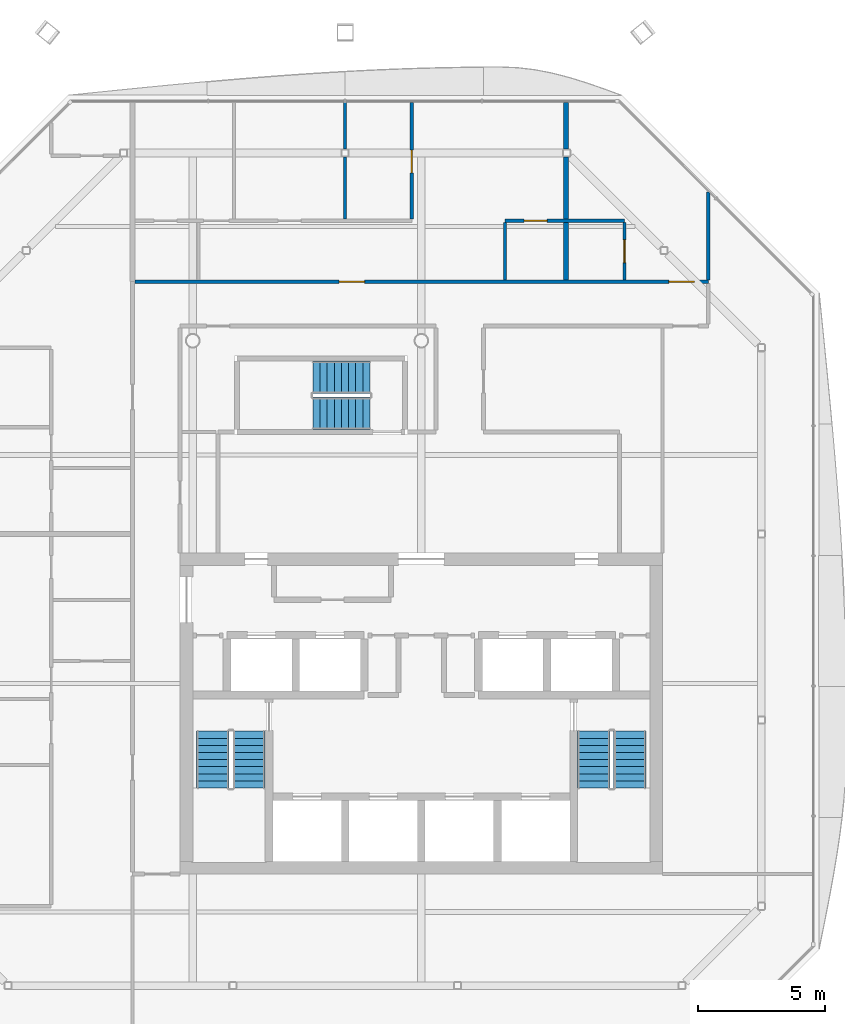
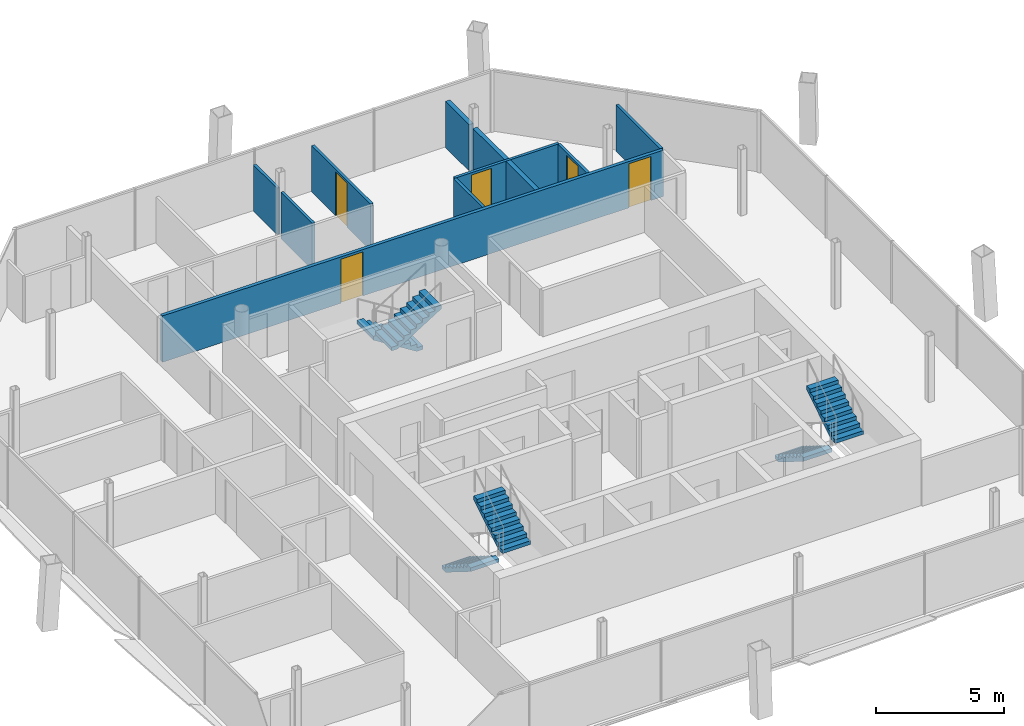
# One storey, part 14 of 17: 10 walls, 6 stair flights, 5 doors, 5 openings, 3 elements without a shape of their own.
"""IFC4 building model written with IfcOpenShell, lengths in metres."""

import ifcopenshell
import ifcopenshell.guid

model = None  # the IFC model being written
_history = None  # IfcOwnerHistory: only IFC2X3 demands one
_inside = {}  # id of a spatial element -> (the spatial element, [elements in it])
_under = {}  # id of a project, library or spatial element -> (it, [spatial elements below it])
_declared = {}  # id of a project -> (the project, [libraries it declares])
_typed = {}  # id of a type object -> (the type object, [elements of that type])
_made_of = {}  # id of a material, layer set ... -> (it, [elements and type objects made of it])


def new_model(schema):
    """Start an empty IFC model of exactly this schema.

    Asked for "IFC4X3", IfcOpenShell would pick the latest addendum, in which some entities
    have other attributes; the version numbers below select the first issue.
    IFC2X3 requires an IfcOwnerHistory on every rooted entity: one is made here for all.
    """
    global model, _history
    if schema == "IFC4X3":
        model = ifcopenshell.file(schema_version=(4, 3, 0, 0))
    else:
        model = ifcopenshell.file(schema=schema)
    _inside.clear()
    _under.clear()
    _declared.clear()
    _typed.clear()
    _made_of.clear()
    _history = None
    if model.schema == "IFC2X3":
        org = make("IfcOrganization", Name="unknown")
        user = make(
            "IfcPersonAndOrganization",
            ThePerson=make("IfcPerson", FamilyName="unknown"),
            TheOrganization=org,
        )
        app = make(
            "IfcApplication",
            ApplicationDeveloper=org,
            Version="unknown",
            ApplicationFullName="unknown",
            ApplicationIdentifier="unknown",
        )
        _history = make(
            "IfcOwnerHistory",
            OwningUser=user,
            OwningApplication=app,
            ChangeAction="ADDED",
            CreationDate=0,
        )
    return model


def make(cls, **values):
    """One entity of the class cls with the attributes given. An attribute that is None is left unset."""
    return model.create_entity(
        cls, **{name: value for name, value in values.items() if value is not None}
    )


def rooted(cls, **values):
    """An entity with a GlobalId (a new one), such as an element, a storey or a relation."""
    return make(cls, GlobalId=ifcopenshell.guid.new(), OwnerHistory=_history, **values)


def si_unit(unit_type, name, prefix=None):
    """IfcSIUnit, for example si_unit("LENGTHUNIT", "METRE", prefix="MILLI")."""
    return make("IfcSIUnit", UnitType=unit_type, Prefix=prefix, Name=name)


def assignment(units):
    """IfcUnitAssignment: the units of a project."""
    return None if units is None else make("IfcUnitAssignment", Units=units)


def point(xyz):
    """IfcCartesianPoint."""
    return None if xyz is None else make("IfcCartesianPoint", Coordinates=xyz)


def direction(xyz):
    """IfcDirection."""
    return None if xyz is None else make("IfcDirection", DirectionRatios=xyz)


def frame(location, z_axis=None, x_axis=None):
    """IfcAxis2Placement3D, a coordinate frame: its origin and axes. An axis left out is left unset."""
    return make(
        "IfcAxis2Placement3D",
        Location=point(location),
        Axis=direction(z_axis),
        RefDirection=direction(x_axis),
    )


def frame_2d(location, x_axis=None):
    """IfcAxis2Placement2D, a coordinate frame in the plane: its origin and x axis."""
    return make(
        "IfcAxis2Placement2D", Location=point(location), RefDirection=direction(x_axis)
    )


def origin():
    """The frame at (0, 0, 0) with its axes left unset."""
    return frame((0.0, 0.0, 0.0))


def place(relative_to, where):
    """IfcLocalPlacement: puts the frame where relative to a parent placement (None: the world)."""
    return make(
        "IfcLocalPlacement", PlacementRelTo=relative_to, RelativePlacement=where
    )


def context(
    kind, dimensions, precision=None, world=None, true_north=None, identifier=None
):
    """IfcGeometricRepresentationContext, for example the 3D "Model" context."""
    return make(
        "IfcGeometricRepresentationContext",
        ContextIdentifier=identifier,
        ContextType=kind,
        CoordinateSpaceDimension=dimensions,
        Precision=precision,
        WorldCoordinateSystem=world,
        TrueNorth=true_north,
    )


def subcontext(parent, identifier, kind, view, scale=None):
    """IfcGeometricRepresentationSubContext, for example "Body" below "Model"."""
    return make(
        "IfcGeometricRepresentationSubContext",
        ContextIdentifier=identifier,
        ContextType=kind,
        ParentContext=parent,
        TargetScale=scale,
        TargetView=view,
    )


def project(units=None, contexts=None):
    """IfcProject with its units and contexts."""
    return rooted(
        "IfcProject",
        Name="project",
        RepresentationContexts=contexts,
        UnitsInContext=assignment(units),
    )


def spatial(cls, under=None, at=None, **own):
    """A site, building, storey or space (cls), placed at a placement, below another one or the project."""
    s = rooted(cls, ObjectPlacement=at, **own)
    if under is not None:
        _under.setdefault(under.id(), (under, []))[1].append(s)
    return s


def polyline(points):
    """IfcPolyline through the points."""
    return make("IfcPolyline", Points=[point(p) for p in points])


def profile(cls, at=None, kind="AREA", **sizes):
    """A parametric profile (cls). Its sizes go by their IFC names, for example OverallWidth=200.0."""
    return make(cls, ProfileType=kind, Position=at, **sizes)


def rectangle(**sizes):
    """IfcRectangleProfileDef."""
    return profile("IfcRectangleProfileDef", **sizes)


def outline(outer, holes=None, kind="AREA"):
    """IfcArbitraryClosedProfileDef: a profile drawn as a closed curve; with holes, ...WithVoids."""
    if holes is None:
        return make("IfcArbitraryClosedProfileDef", ProfileType=kind, OuterCurve=outer)
    return make(
        "IfcArbitraryProfileDefWithVoids",
        ProfileType=kind,
        OuterCurve=outer,
        InnerCurves=holes,
    )


def extrude(swept, where, along, depth):
    """IfcExtrudedAreaSolid: the profile swept, set in the frame where, extruded along a direction by depth."""
    return make(
        "IfcExtrudedAreaSolid",
        SweptArea=swept,
        Position=where,
        ExtrudedDirection=direction(along),
        Depth=depth,
    )


def shape(context_of_items, identifier, shape_type, items):
    """IfcShapeRepresentation: the items that make up one representation, for example the "Body"."""
    return make(
        "IfcShapeRepresentation",
        ContextOfItems=context_of_items,
        RepresentationIdentifier=identifier,
        RepresentationType=shape_type,
        Items=items,
    )


def material(Name=None, Category=None):
    """IfcMaterial."""
    return make("IfcMaterial", Name=Name, Category=Category)


def layer(
    of_material, thickness, ventilated=None, Name=None, Category=None, Priority=None
):
    """IfcMaterialLayer: one layer of a wall or slab, of a material (None: an air gap)."""
    return make(
        "IfcMaterialLayer",
        Material=of_material,
        LayerThickness=thickness,
        IsVentilated=ventilated,
        Name=Name,
        Category=Category,
        Priority=Priority,
    )


def layer_set(layers, Name=None):
    """IfcMaterialLayerSet."""
    return make("IfcMaterialLayerSet", MaterialLayers=layers, LayerSetName=Name)


def made_of(thing, what):
    """Note that an element or type object is made of a material, layer set ...; save() writes the relation."""
    if what is not None:
        _made_of.setdefault(what.id(), (what, []))[1].append(thing)
    return thing


def type_object(cls, material=None, **own):
    """A type object (cls), such as IfcWallType, which elements share."""
    return made_of(rooted(cls, **own), material)


def element(
    cls,
    number,
    at=None,
    inside=None,
    cuts=None,
    type_object=None,
    material=None,
    context=None,
    identifier="Body",
    shape_type=None,
    held_by="IfcProductDefinitionShape",
    body=None,
    shapes=None,
    **own,
):
    """One element of the class cls, such as IfcWall. Its Tag is "e" and its number.

    at: its placement. inside: the storey or other place that contains it. cuts: it is an
    opening in that element (IfcRelVoidsElement). A single representation is given by context,
    identifier, shape_type and body (its items); several are given by shapes. held_by: the class
    of the entity that holds the representations. save() writes the other relations.
    """
    e = rooted(cls, Tag="e%d" % number, ObjectPlacement=at, **own)
    if body is not None:
        shapes = [shape(context, identifier, shape_type, body)]
    if shapes is not None:
        e.Representation = make(held_by, Representations=shapes)
    if inside is not None:
        _inside.setdefault(inside.id(), (inside, []))[1].append(e)
    if cuts is not None:
        rooted(
            "IfcRelVoidsElement", RelatingBuildingElement=cuts, RelatedOpeningElement=e
        )
    if type_object is not None:
        _typed.setdefault(type_object.id(), (type_object, []))[1].append(e)
    return made_of(e, material)


def fill(opening, filler):
    """IfcRelFillsElement: the door or window that sits in an opening."""
    return rooted(
        "IfcRelFillsElement",
        RelatingOpeningElement=opening,
        RelatedBuildingElement=filler,
    )


def aggregate(whole, parts):
    """IfcRelAggregates: a whole, such as a stair, and the parts it consists of."""
    return rooted("IfcRelAggregates", RelatingObject=whole, RelatedObjects=parts)


def save(model, path):
    """Write the relations noted so far, then the file.

    IfcRelAggregates (storeys below a building ...), IfcRelContainedInSpatialStructure (elements
    in a storey), IfcRelDefinesByType, IfcRelAssociatesMaterial and IfcRelDeclares: one each for
    every whole, place, type object, material and project.
    """
    for whole, parts in _under.values():
        aggregate(whole, parts)
    for where, things in _inside.values():
        rooted(
            "IfcRelContainedInSpatialStructure",
            RelatedElements=things,
            RelatingStructure=where,
        )
    for kind, things in _typed.values():
        rooted("IfcRelDefinesByType", RelatedObjects=things, RelatingType=kind)
    for what, things in _made_of.values():
        rooted("IfcRelAssociatesMaterial", RelatedObjects=things, RelatingMaterial=what)
    for by, libraries in _declared.values():
        rooted("IfcRelDeclares", RelatingContext=by, RelatedDefinitions=libraries)
    model.write(path)


model = new_model("IFC4")

# Units and contexts
model_context = context("Model", 3, precision=1e-05, world=origin(), true_north=direction((0.0, 1.0)))
body_context = subcontext(model_context, "Body", "Model", "MODEL_VIEW")
ifc_project = project(units=[si_unit("LENGTHUNIT", "METRE"), si_unit("AREAUNIT", "SQUARE_METRE"), si_unit("VOLUMEUNIT", "CUBIC_METRE"), si_unit("PLANEANGLEUNIT", "RADIAN"), si_unit("MASSUNIT", "GRAM", prefix="KILO")], contexts=[model_context])

# Site, building, storey
site_placement = place(None, origin())
site = spatial("IfcSite", under=ifc_project, at=site_placement, CompositionType="ELEMENT")
building_placement = place(site_placement, origin())
building = spatial("IfcBuilding", under=site, at=building_placement, Name="Tskaro Facet Tower", CompositionType="ELEMENT")
storey_placement = place(building_placement, frame((0.0, 0.0, 232.949951171875)))
storey = spatial("IfcBuildingStorey", under=building, at=storey_placement, Name="L60", CompositionType="ELEMENT", Elevation=232.949951171875)

# Wall, opening, door
ifc_material_1 = material(Name="Gypsum board on steel studs", Category="steel")
ifc_layer_1 = layer(ifc_material_1, 0.125, Name="Gypsum board on steel studs")
ifc_layer_set_1 = layer_set([ifc_layer_1], Name="Gypsum board on steel studs")
wall_type_1 = type_object("IfcWallType", Name="PART", PredefinedType="PARTITIONING", material=ifc_layer_set_1)
wall_1_placement = place(storey_placement, frame((8.0, 13.72509765625, 0.0), z_axis=(0.0, 0.0, 1.0), x_axis=(-1.0, 0.0, 0.0)))
wall_1 = element("IfcWall", 1, at=wall_1_placement, inside=storey, type_object=wall_type_1, Name="Partition W036", PredefinedType="PARTITIONING", context=body_context, shape_type="SweptSolid", body=[
    extrude(rectangle(XDim=4.699951171875, YDim=0.125, at=frame_2d((2.35009765625, 0.0))), origin(), (0.0, 0.0, 1.0), 2.2099609375),
])
opening_1_placement = place(wall_1_placement, frame((3.050048828125, 0.0, 0.0)))
opening_1 = element("IfcOpeningElement", 2, at=opening_1_placement, cuts=wall_1, Name="Opening T17-D31", PredefinedType="OPENING", context=body_context, shape_type="SweptSolid", body=[
    extrude(rectangle(XDim=0.89990234375, YDim=2.10009765625, at=frame_2d((0.449951171875, 1.050048828125))), frame((0.0, 0.072509765625, 0.0), z_axis=(0.0, -1.0, 0.0), x_axis=(1.0, 0.0, 0.0)), (0.0, 0.0, 1.0), 0.14501953125),
])
ifc_material_2 = material(Name="Timber", Category="wood")
door_type_1 = type_object("IfcDoorType", Name="D-ROOM", OperationType="NOTDEFINED", PredefinedType="DOOR", material=ifc_material_2)
door_1_placement = place(opening_1_placement, origin())
door_1 = element("IfcDoor", 3, at=door_1_placement, inside=storey, type_object=door_type_1, Name="Door T17-D31", OperationType="SINGLE_SWING_RIGHT", OverallHeight=2.10009765625, OverallWidth=0.89990234375, PredefinedType="DOOR", context=body_context, shape_type="SweptSolid", body=[
    extrude(rectangle(XDim=0.89990234375, YDim=2.10009765625, at=frame_2d((0.449951171875, 1.050048828125))), frame((0.0, 0.02490234375, 0.0), z_axis=(0.0, -1.0, 0.0), x_axis=(1.0, 0.0, 0.0)), (0.0, 0.0, 1.0), 0.050048828125),
])
fill(opening_1, door_1)

# Walls
wall_2_placement = place(storey_placement, frame((-3.0, 13.78759765625, 0.0), z_axis=(0.0, 0.0, 1.0), x_axis=(0.0, 1.0, 0.0)))
element("IfcWall", 4, at=wall_2_placement, inside=storey, type_object=wall_type_1, Name="Partition W053", PredefinedType="PARTITIONING", context=body_context, shape_type="SweptSolid", body=[
    extrude(rectangle(XDim=2.453369140625, YDim=0.125, at=frame_2d((1.2265625, 0.0))), origin(), (0.0, 0.0, 1.0), 2.2099609375),
])
wall_3_placement = place(storey_placement, frame((-3.0, 16.541015625, 0.0), z_axis=(0.0, 0.0, 1.0), x_axis=(0.0, 1.0, 0.0)))
element("IfcWall", 5, at=wall_3_placement, inside=storey, type_object=wall_type_1, Name="Partition W054", PredefinedType="PARTITIONING", context=body_context, shape_type="SweptSolid", body=[
    extrude(rectangle(XDim=1.843994140625, YDim=0.125, at=frame_2d((0.921875, 0.0))), origin(), (0.0, 0.0, 1.0), 2.2099609375),
])

# Wall, opening, door
wall_4_placement = place(storey_placement, frame((-0.375, 13.78759765625, 0.0), z_axis=(0.0, 0.0, 1.0), x_axis=(0.0, 1.0, 0.0)))
wall_4 = element("IfcWall", 6, at=wall_4_placement, inside=storey, type_object=wall_type_1, Name="Partition W059", PredefinedType="PARTITIONING", context=body_context, shape_type="SweptSolid", body=[
    extrude(rectangle(XDim=4.597412109375, YDim=0.125, at=frame_2d((2.298828125, 0.0))), origin(), (0.0, 0.0, 1.0), 2.2099609375),
])
opening_2_placement = place(wall_4_placement, frame((1.8173828125, 0.0, 0.0)))
opening_2 = element("IfcOpeningElement", 7, at=opening_2_placement, cuts=wall_4, Name="Opening T17-D32", PredefinedType="OPENING", context=body_context, shape_type="SweptSolid", body=[
    extrude(rectangle(XDim=0.89990234375, YDim=2.10009765625, at=frame_2d((0.449951171875, 1.050048828125))), frame((0.0, 0.072509765625, 0.0), z_axis=(0.0, -1.0, 0.0), x_axis=(1.0, 0.0, 0.0)), (0.0, 0.0, 1.0), 0.14501953125),
])
door_2_placement = place(opening_2_placement, origin())
door_2 = element("IfcDoor", 8, at=door_2_placement, inside=storey, type_object=door_type_1, Name="Door T17-D32", OperationType="SINGLE_SWING_LEFT", OverallHeight=2.10009765625, OverallWidth=0.89990234375, PredefinedType="DOOR", context=body_context, shape_type="SweptSolid", body=[
    extrude(rectangle(XDim=0.89990234375, YDim=2.10009765625, at=frame_2d((0.449951171875, 1.050048828125))), frame((0.0, 0.02490234375, 0.0), z_axis=(0.0, -1.0, 0.0), x_axis=(1.0, 0.0, 0.0)), (0.0, 0.0, 1.0), 0.050048828125),
])
fill(opening_2, door_2)

# Wall
wall_5_placement = place(storey_placement, frame((3.300048828125, 11.39990234375, 0.0), z_axis=(0.0, 0.0, 1.0), x_axis=(0.0, 1.0, 0.0)))
element("IfcWall", 9, at=wall_5_placement, inside=storey, type_object=wall_type_1, Name="Partition W066", PredefinedType="PARTITIONING", context=body_context, shape_type="SweptSolid", body=[
    extrude(rectangle(XDim=2.2626953125, YDim=0.125, at=frame_2d((1.13134765625, 0.0))), origin(), (0.0, 0.0, 1.0), 2.2099609375),
])

# Wall, opening, door
wall_6_placement = place(storey_placement, frame((8.0, 11.39990234375, 0.0), z_axis=(0.0, 0.0, 1.0), x_axis=(0.0, 1.0, 0.0)))
wall_6 = element("IfcWall", 10, at=wall_6_placement, inside=storey, type_object=wall_type_1, Name="Partition W073", PredefinedType="PARTITIONING", context=body_context, shape_type="SweptSolid", body=[
    extrude(rectangle(XDim=2.2626953125, YDim=0.125, at=frame_2d((1.13134765625, 0.0))), origin(), (0.0, 0.0, 1.0), 2.2099609375),
])
opening_3_placement = place(wall_6_placement, frame((0.675048828125, 0.0, 0.0)))
opening_3 = element("IfcOpeningElement", 11, at=opening_3_placement, cuts=wall_6, Name="Opening T17-D27", PredefinedType="OPENING", context=body_context, shape_type="SweptSolid", body=[
    extrude(rectangle(XDim=0.89990234375, YDim=2.10009765625, at=frame_2d((0.449951171875, 1.050048828125))), frame((0.0, 0.072509765625, 0.0), z_axis=(0.0, -1.0, 0.0), x_axis=(1.0, 0.0, 0.0)), (0.0, 0.0, 1.0), 0.14501953125),
])
door_3_placement = place(opening_3_placement, origin())
door_3 = element("IfcDoor", 12, at=door_3_placement, inside=storey, type_object=door_type_1, Name="Door T17-D27", OperationType="SINGLE_SWING_LEFT", OverallHeight=2.10009765625, OverallWidth=0.89990234375, PredefinedType="DOOR", context=body_context, shape_type="SweptSolid", body=[
    extrude(rectangle(XDim=0.89990234375, YDim=2.10009765625, at=frame_2d((0.449951171875, 1.050048828125))), frame((0.0, 0.02490234375, 0.0), z_axis=(0.0, -1.0, 0.0), x_axis=(1.0, 0.0, 0.0)), (0.0, 0.0, 1.0), 0.050048828125),
])
fill(opening_3, door_3)

# Wall
wall_7_placement = place(storey_placement, frame((11.300048828125, 11.39990234375, 0.0), z_axis=(0.0, 0.0, 1.0), x_axis=(0.0, 1.0, 0.0)))
element("IfcWall", 13, at=wall_7_placement, inside=storey, type_object=wall_type_1, Name="Partition W076", PredefinedType="PARTITIONING", context=body_context, shape_type="SweptSolid", body=[
    extrude(rectangle(XDim=3.446044921875, YDim=0.125, at=frame_2d((1.72314453125, 0.0))), origin(), (0.0, 0.0, 1.0), 2.2099609375),
])

# Wall, openings, doors
ifc_layer_2 = layer(ifc_material_1, 0.14990234375, Name="Gypsum board on steel studs")
ifc_layer_set_2 = layer_set([ifc_layer_2], Name="Gypsum board on steel studs")
wall_type_2 = type_object("IfcWallType", Name="PART-CORR", PredefinedType="PARTITIONING", material=ifc_layer_set_2)
wall_8_placement = place(storey_placement, frame((-11.27490234375, 11.324951171875, 0.0), z_axis=(0.0, 0.0, 1.0), x_axis=(1.0, 0.0, 0.0)))
wall_8 = element("IfcWall", 14, at=wall_8_placement, inside=storey, type_object=wall_type_2, Name="Corridor wall W034", PredefinedType="PARTITIONING", context=body_context, shape_type="SweptSolid", body=[
    extrude(rectangle(XDim=22.574951171875, YDim=0.14990234375, at=frame_2d((11.28759765625, 0.0))), origin(), (0.0, 0.0, 1.0), 2.2099609375),
])
opening_4_placement = place(wall_8_placement, frame((8.03759765625, 0.0, 0.0)))
opening_4 = element("IfcOpeningElement", 15, at=opening_4_placement, cuts=wall_8, Name="Opening T17-D25", PredefinedType="OPENING", context=body_context, shape_type="SweptSolid", body=[
    extrude(rectangle(XDim=1.0, YDim=2.10009765625, at=frame_2d((0.5, 1.050048828125))), frame((0.0, 0.0849609375, 0.0), z_axis=(0.0, -1.0, 0.0), x_axis=(1.0, 0.0, 0.0)), (0.0, 0.0, 1.0), 0.169921875),
])
opening_5_placement = place(wall_8_placement, frame((21.02490234375, 0.0, 0.0)))
opening_5 = element("IfcOpeningElement", 16, at=opening_5_placement, cuts=wall_8, Name="Opening T17-D26", PredefinedType="OPENING", context=body_context, shape_type="SweptSolid", body=[
    extrude(rectangle(XDim=1.0, YDim=2.10009765625, at=frame_2d((0.5, 1.050048828125))), frame((0.0, 0.0849609375, 0.0), z_axis=(0.0, -1.0, 0.0), x_axis=(1.0, 0.0, 0.0)), (0.0, 0.0, 1.0), 0.169921875),
])
door_type_2 = type_object("IfcDoorType", Name="D-FLAT-ENTRY", OperationType="NOTDEFINED", PredefinedType="DOOR", material=ifc_material_2)
door_4_placement = place(opening_4_placement, origin())
door_4 = element("IfcDoor", 17, at=door_4_placement, inside=storey, type_object=door_type_2, Name="Door T17-D25", OperationType="SINGLE_SWING_LEFT", OverallHeight=2.10009765625, OverallWidth=1.0, PredefinedType="DOOR", context=body_context, shape_type="SweptSolid", body=[
    extrude(rectangle(XDim=1.0, YDim=2.10009765625, at=frame_2d((0.5, 1.050048828125))), frame((0.0, 0.02490234375, 0.0), z_axis=(0.0, -1.0, 0.0), x_axis=(1.0, 0.0, 0.0)), (0.0, 0.0, 1.0), 0.050048828125),
])
fill(opening_4, door_4)
door_5_placement = place(opening_5_placement, origin())
door_5 = element("IfcDoor", 18, at=door_5_placement, inside=storey, type_object=door_type_2, Name="Door T17-D26", OperationType="SINGLE_SWING_LEFT", OverallHeight=2.10009765625, OverallWidth=1.0, PredefinedType="DOOR", context=body_context, shape_type="SweptSolid", body=[
    extrude(rectangle(XDim=1.0, YDim=2.10009765625, at=frame_2d((0.5, 1.050048828125))), frame((0.0, 0.02490234375, 0.0), z_axis=(0.0, -1.0, 0.0), x_axis=(1.0, 0.0, 0.0)), (0.0, 0.0, 1.0), 0.050048828125),
])
fill(opening_5, door_5)

# Walls
ifc_layer_3 = layer(ifc_material_1, 0.199951171875, Name="Gypsum board on steel studs")
ifc_layer_set_3 = layer_set([ifc_layer_3], Name="Gypsum board on steel studs")
wall_type_3 = type_object("IfcWallType", Name="PART-DEMISING", PredefinedType="PARTITIONING", material=ifc_layer_set_3)
wall_9_placement = place(storey_placement, frame((5.699951171875, 11.39990234375, 0.0), z_axis=(0.0, 0.0, 1.0), x_axis=(0.0, 1.0, 0.0)))
element("IfcWall", 19, at=wall_9_placement, inside=storey, type_object=wall_type_3, Name="Guest room wall W068", PredefinedType="PARTITIONING", context=body_context, shape_type="SweptSolid", body=[
    extrude(rectangle(XDim=4.841064453125, YDim=0.199951171875, at=frame_2d((2.42041015625, 0.0))), origin(), (0.0, 0.0, 1.0), 2.2099609375),
])
wall_10_placement = place(storey_placement, frame((5.699951171875, 16.541015625, 0.0), z_axis=(0.0, 0.0, 1.0), x_axis=(0.0, 1.0, 0.0)))
element("IfcWall", 20, at=wall_10_placement, inside=storey, type_object=wall_type_3, Name="Guest room wall W069", PredefinedType="PARTITIONING", context=body_context, shape_type="SweptSolid", body=[
    extrude(rectangle(XDim=1.843994140625, YDim=0.199951171875, at=frame_2d((0.921875, 0.0))), origin(), (0.0, 0.0, 1.0), 2.2099609375),
])

# Stair, stair flights
ifc_material_3 = material(Name="Concrete C40/50", Category="concrete")
stair_type = type_object("IfcStairType", Name="ST-TWR", PredefinedType="HALF_TURN_STAIR", material=ifc_material_3)
stair_1_placement = place(storey_placement, origin())
stair_1 = element("IfcStair", 21, at=stair_1_placement, inside=storey, type_object=stair_type, Name="L60 Exit stair 1", PredefinedType="HALF_TURN_STAIR")
stair_flight_type = type_object("IfcStairFlightType", Name="SFL-RC", PredefinedType="STRAIGHT", material=ifc_material_3)
stair_flight_1_placement = place(storey_placement, frame((-8.21240234375, -6.375, 0.0), z_axis=(0.0, 0.0, 1.0), x_axis=(0.0, -1.0, 0.0)))
stair_flight_1 = element("IfcStairFlight", 22, at=stair_flight_1_placement, type_object=stair_flight_type, Name="ST-1 flight 1", NumberOfRisers=9, NumberOfTreads=8, PredefinedType="STRAIGHT", RiserHeight=0.175, TreadLength=0.28, context=body_context, shape_type="SweptSolid", body=[
    extrude(outline(polyline([(0.0, 0.0), (0.0, 0.175048828125), (0.280029296875, 0.175048828125), (0.280029296875, 0.35009765625), (0.56005859375, 0.35009765625), (0.56005859375, 0.52490234375), (0.840087890625, 0.52490234375), (0.840087890625, 0.699951171875), (1.1201171875, 0.699951171875), (1.1201171875, 0.875), (1.39990234375, 0.875), (1.39990234375, 1.050048828125), (1.679931640625, 1.050048828125), (1.679931640625, 1.22509765625), (1.9599609375, 1.22509765625), (1.9599609375, 1.39990234375), (2.239990234375, 1.39990234375), (2.239990234375, 1.574951171875), (2.239990234375, 1.22314453125), (0.28271484375, 0.0), (0.0, 0.0)])), frame((0.0, 0.637451171875, 0.0), z_axis=(0.0, -1.0, 0.0), x_axis=(1.0, 0.0, 0.0)), (0.0, 0.0, 1.0), 1.27490234375),
])
stair_flight_2_placement = place(storey_placement, frame((-6.78759765625, -8.614990234375, 1.574951171875), z_axis=(0.0, 0.0, 1.0), x_axis=(0.0, 1.0, 0.0)))
stair_flight_2 = element("IfcStairFlight", 23, at=stair_flight_2_placement, type_object=stair_flight_type, Name="ST-1 flight 2", NumberOfRisers=9, NumberOfTreads=8, PredefinedType="STRAIGHT", RiserHeight=0.175, TreadLength=0.28, context=body_context, shape_type="SweptSolid", body=[
    extrude(outline(polyline([(0.0, 0.0), (0.0, 0.175048828125), (0.280029296875, 0.175048828125), (0.280029296875, 0.35009765625), (0.56005859375, 0.35009765625), (0.56005859375, 0.52490234375), (0.840087890625, 0.52490234375), (0.840087890625, 0.699951171875), (1.1201171875, 0.699951171875), (1.1201171875, 0.875), (1.39990234375, 0.875), (1.39990234375, 1.050048828125), (1.679931640625, 1.050048828125), (1.679931640625, 1.22509765625), (1.9599609375, 1.22509765625), (1.9599609375, 1.39990234375), (2.239990234375, 1.39990234375), (2.239990234375, 1.574951171875), (2.239990234375, 1.22314453125), (0.28271484375, 0.0), (0.0, 0.0)])), frame((0.0, 0.637451171875, 0.0), z_axis=(0.0, -1.0, 0.0), x_axis=(1.0, 0.0, 0.0)), (0.0, 0.0, 1.0), 1.27490234375),
])
aggregate(stair_1, [stair_flight_1, stair_flight_2])

stair_2_placement = place(storey_placement, origin())
stair_2 = element("IfcStair", 24, at=stair_2_placement, inside=storey, type_object=stair_type, Name="L60 Exit stair 2", PredefinedType="HALF_TURN_STAIR")
stair_flight_3_placement = place(storey_placement, frame((6.78759765625, -6.375, 0.0), z_axis=(0.0, 0.0, 1.0), x_axis=(0.0, -1.0, 0.0)))
stair_flight_3 = element("IfcStairFlight", 25, at=stair_flight_3_placement, type_object=stair_flight_type, Name="ST-2 flight 1", NumberOfRisers=9, NumberOfTreads=8, PredefinedType="STRAIGHT", RiserHeight=0.175, TreadLength=0.28, context=body_context, shape_type="SweptSolid", body=[
    extrude(outline(polyline([(0.0, 0.0), (0.0, 0.175048828125), (0.280029296875, 0.175048828125), (0.280029296875, 0.35009765625), (0.56005859375, 0.35009765625), (0.56005859375, 0.52490234375), (0.840087890625, 0.52490234375), (0.840087890625, 0.699951171875), (1.1201171875, 0.699951171875), (1.1201171875, 0.875), (1.39990234375, 0.875), (1.39990234375, 1.050048828125), (1.679931640625, 1.050048828125), (1.679931640625, 1.22509765625), (1.9599609375, 1.22509765625), (1.9599609375, 1.39990234375), (2.239990234375, 1.39990234375), (2.239990234375, 1.574951171875), (2.239990234375, 1.22314453125), (0.28271484375, 0.0), (0.0, 0.0)])), frame((0.0, 0.637451171875, 0.0), z_axis=(0.0, -1.0, 0.0), x_axis=(1.0, 0.0, 0.0)), (0.0, 0.0, 1.0), 1.27490234375),
])
stair_flight_4_placement = place(storey_placement, frame((8.21240234375, -8.614990234375, 1.574951171875), z_axis=(0.0, 0.0, 1.0), x_axis=(0.0, 1.0, 0.0)))
stair_flight_4 = element("IfcStairFlight", 26, at=stair_flight_4_placement, type_object=stair_flight_type, Name="ST-2 flight 2", NumberOfRisers=9, NumberOfTreads=8, PredefinedType="STRAIGHT", RiserHeight=0.175, TreadLength=0.28, context=body_context, shape_type="SweptSolid", body=[
    extrude(outline(polyline([(0.0, 0.0), (0.0, 0.175048828125), (0.280029296875, 0.175048828125), (0.280029296875, 0.35009765625), (0.56005859375, 0.35009765625), (0.56005859375, 0.52490234375), (0.840087890625, 0.52490234375), (0.840087890625, 0.699951171875), (1.1201171875, 0.699951171875), (1.1201171875, 0.875), (1.39990234375, 0.875), (1.39990234375, 1.050048828125), (1.679931640625, 1.050048828125), (1.679931640625, 1.22509765625), (1.9599609375, 1.22509765625), (1.9599609375, 1.39990234375), (2.239990234375, 1.39990234375), (2.239990234375, 1.574951171875), (2.239990234375, 1.22314453125), (0.28271484375, 0.0), (0.0, 0.0)])), frame((0.0, 0.637451171875, 0.0), z_axis=(0.0, -1.0, 0.0), x_axis=(1.0, 0.0, 0.0)), (0.0, 0.0, 1.0), 1.27490234375),
])
aggregate(stair_2, [stair_flight_3, stair_flight_4])

stair_3_placement = place(storey_placement, origin())
stair_3 = element("IfcStair", 27, at=stair_3_placement, inside=storey, type_object=stair_type, Name="L60 Exit stair 3", PredefinedType="HALF_TURN_STAIR")
stair_flight_5_placement = place(storey_placement, frame((-2.02490234375, 7.5625, 0.0), z_axis=(0.0, 0.0, 1.0), x_axis=(-1.0, 0.0, 0.0)))
stair_flight_5 = element("IfcStairFlight", 28, at=stair_flight_5_placement, type_object=stair_flight_type, Name="ST-3 flight 1", NumberOfRisers=9, NumberOfTreads=8, PredefinedType="STRAIGHT", RiserHeight=0.175, TreadLength=0.28, context=body_context, shape_type="SweptSolid", body=[
    extrude(outline(polyline([(0.0, 0.0), (0.0, 0.175048828125), (0.280029296875, 0.175048828125), (0.280029296875, 0.35009765625), (0.56005859375, 0.35009765625), (0.56005859375, 0.52490234375), (0.840087890625, 0.52490234375), (0.840087890625, 0.699951171875), (1.1201171875, 0.699951171875), (1.1201171875, 0.875), (1.39990234375, 0.875), (1.39990234375, 1.050048828125), (1.679931640625, 1.050048828125), (1.679931640625, 1.22509765625), (1.9599609375, 1.22509765625), (1.9599609375, 1.39990234375), (2.239990234375, 1.39990234375), (2.239990234375, 1.574951171875), (2.239990234375, 1.22314453125), (0.28271484375, 0.0), (0.0, 0.0)])), frame((0.0, 0.637451171875, 0.0), z_axis=(0.0, -1.0, 0.0), x_axis=(1.0, 0.0, 0.0)), (0.0, 0.0, 1.0), 1.27490234375),
])
stair_flight_6_placement = place(storey_placement, frame((-4.264892578125, 6.137451171875, 1.574951171875), z_axis=(0.0, 0.0, 1.0), x_axis=(1.0, 0.0, 0.0)))
stair_flight_6 = element("IfcStairFlight", 29, at=stair_flight_6_placement, type_object=stair_flight_type, Name="ST-3 flight 2", NumberOfRisers=9, NumberOfTreads=8, PredefinedType="STRAIGHT", RiserHeight=0.175, TreadLength=0.28, context=body_context, shape_type="SweptSolid", body=[
    extrude(outline(polyline([(0.0, 0.0), (0.0, 0.175048828125), (0.280029296875, 0.175048828125), (0.280029296875, 0.35009765625), (0.56005859375, 0.35009765625), (0.56005859375, 0.52490234375), (0.840087890625, 0.52490234375), (0.840087890625, 0.699951171875), (1.1201171875, 0.699951171875), (1.1201171875, 0.875), (1.39990234375, 0.875), (1.39990234375, 1.050048828125), (1.679931640625, 1.050048828125), (1.679931640625, 1.22509765625), (1.9599609375, 1.22509765625), (1.9599609375, 1.39990234375), (2.239990234375, 1.39990234375), (2.239990234375, 1.574951171875), (2.239990234375, 1.22314453125), (0.28271484375, 0.0), (0.0, 0.0)])), frame((0.0, 0.637451171875, 0.0), z_axis=(0.0, -1.0, 0.0), x_axis=(1.0, 0.0, 0.0)), (0.0, 0.0, 1.0), 1.27490234375),
])
aggregate(stair_3, [stair_flight_5, stair_flight_6])

save(model, "model.ifc")
